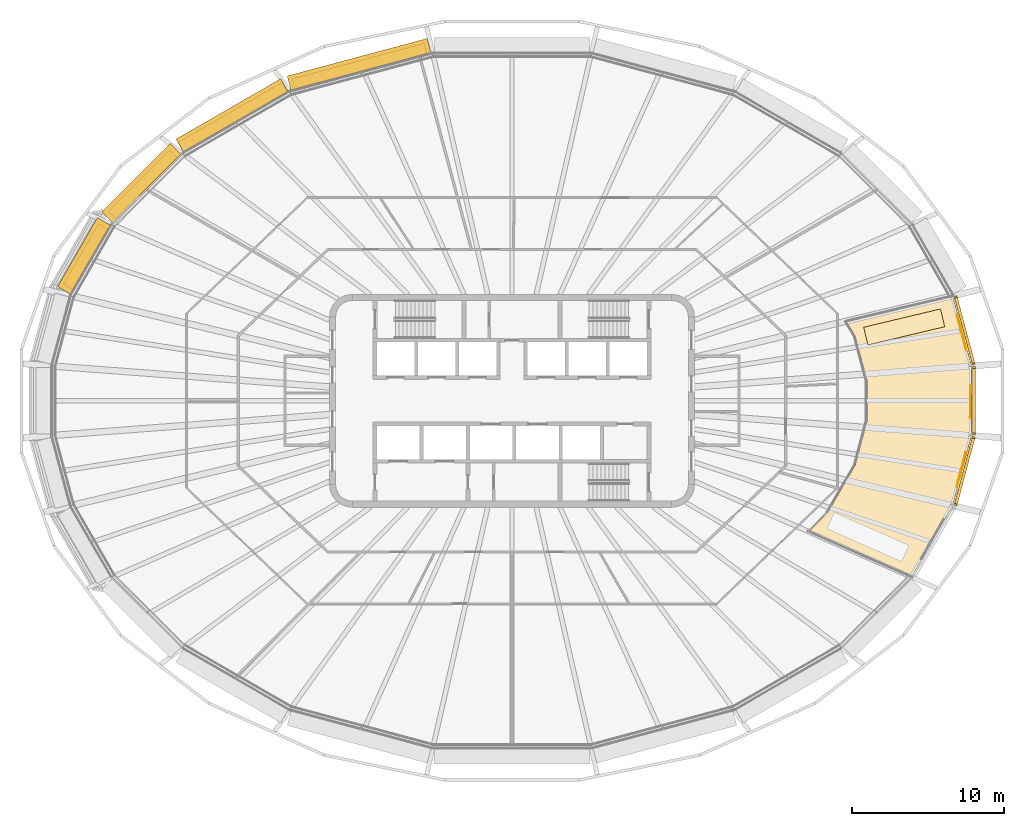
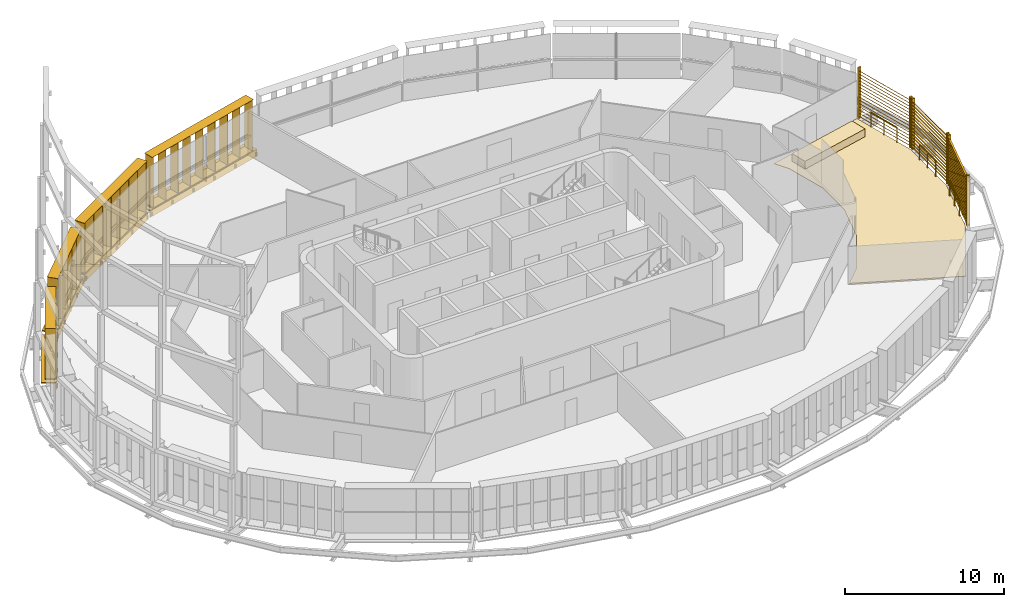
# One storey, part 20 of 21: 11 shading devices, 3 railings, 2 coverings.
"""IFC4 building model written with IfcOpenShell, lengths in metres."""

from ifc_helpers import new_model, si_unit, direction, frame, origin, origin_2d, place, context, subcontext, project, spatial, polyline, rectangle, circle, outline, extrude, material, layer, layer_set, type_object, element, save


model = new_model("IFC4")

# Units and contexts
model_context = context("Model", 3, precision=1e-05, world=origin(), true_north=direction((0.0, 1.0)))
body_context = subcontext(model_context, "Body", "Model", "MODEL_VIEW")
ifc_project = project(units=[si_unit("LENGTHUNIT", "METRE"), si_unit("AREAUNIT", "SQUARE_METRE"), si_unit("VOLUMEUNIT", "CUBIC_METRE"), si_unit("PLANEANGLEUNIT", "RADIAN"), si_unit("MASSUNIT", "GRAM", prefix="KILO")], contexts=[model_context])

# Site, building, storey
site_placement = place(None, origin())
site = spatial("IfcSite", under=ifc_project, at=site_placement, CompositionType="ELEMENT")
building_placement = place(site_placement, origin())
building = spatial("IfcBuilding", under=site, at=building_placement, Name="Sahrelin Media Tower", CompositionType="ELEMENT")
storey_placement = place(building_placement, frame((0.0, 0.0, 259.0)))
storey = spatial("IfcBuildingStorey", under=building, at=storey_placement, Name="L56", CompositionType="ELEMENT", Elevation=259.0)

# Shading devices
ifc_material_1 = material(Name="Champagne anodised aluminium 6063-T6", Category="aluminium")
shading_device_type_1 = type_object("IfcShadingDeviceType", Name="Fin cassette", PredefinedType="USERDEFINED", material=ifc_material_1)
placement_1 = place(storey_placement, frame((-9.912109375, 21.598388671875, 0.0), z_axis=(0.0, 0.0, 1.0), x_axis=(0.965928857556, 0.258807731996, 0.0)))
element("IfcShadingDevice", 1, at=placement_1, inside=storey, type_object=shading_device_type_1, Name="L56:FIN:L56-07", ObjectType="FIN", PredefinedType="USERDEFINED", context=body_context, shape_type="SweptSolid", body=[
    extrude(rectangle(XDim=9.0, YDim=0.699951171875, at=origin_2d()), frame((0.0, 0.419921875, 0.0)), (0.0, 0.0, 1.0), 0.02001953125),
    extrude(rectangle(XDim=9.0, YDim=0.699951171875, at=origin_2d()), frame((0.0, 0.419921875, 3.89990234375)), (0.0, 0.0, 1.0), 0.02001953125),
    extrude(rectangle(XDim=0.02001953125, YDim=0.699951171875, at=origin_2d()), frame((-4.39990234375, 0.419921875, 0.010009765625), z_axis=(0.0, 0.0, 1.0), x_axis=(1.0, 0.0, 0.0)), (0.0, 0.0, 1.0), 3.89990234375),
    extrude(rectangle(XDim=0.02001953125, YDim=0.699951171875, at=origin_2d()), frame((-3.300048828125, 0.419921875, 0.010009765625), z_axis=(0.0, 0.0, 1.0), x_axis=(1.0, 0.0, 0.0)), (0.0, 0.0, 1.0), 3.89990234375),
    extrude(rectangle(XDim=0.02001953125, YDim=0.699951171875, at=origin_2d()), frame((-2.199951171875, 0.419921875, 0.010009765625), z_axis=(0.0, 0.0, 1.0), x_axis=(1.0, 0.0, 0.0)), (0.0, 0.0, 1.0), 3.89990234375),
    extrude(rectangle(XDim=0.02001953125, YDim=0.699951171875, at=origin_2d()), frame((-1.10009765625, 0.419921875, 0.010009765625), z_axis=(0.0, 0.0, 1.0), x_axis=(1.0, 0.0, 0.0)), (0.0, 0.0, 1.0), 3.89990234375),
    extrude(rectangle(XDim=0.02001953125, YDim=0.699951171875, at=origin_2d()), frame((0.0, 0.419921875, 0.010009765625), z_axis=(0.0, 0.0, 1.0), x_axis=(1.0, 0.0, 0.0)), (0.0, 0.0, 1.0), 3.89990234375),
    extrude(rectangle(XDim=0.02001953125, YDim=0.699951171875, at=origin_2d()), frame((1.10009765625, 0.419921875, 0.010009765625), z_axis=(0.0, 0.0, 1.0), x_axis=(1.0, 0.0, 0.0)), (0.0, 0.0, 1.0), 3.89990234375),
    extrude(rectangle(XDim=0.02001953125, YDim=0.699951171875, at=origin_2d()), frame((2.199951171875, 0.419921875, 0.010009765625), z_axis=(0.0, 0.0, 1.0), x_axis=(1.0, 0.0, 0.0)), (0.0, 0.0, 1.0), 3.89990234375),
    extrude(rectangle(XDim=0.02001953125, YDim=0.699951171875, at=origin_2d()), frame((3.300048828125, 0.419921875, 0.010009765625), z_axis=(0.0, 0.0, 1.0), x_axis=(1.0, 0.0, 0.0)), (0.0, 0.0, 1.0), 3.89990234375),
    extrude(rectangle(XDim=0.02001953125, YDim=0.699951171875, at=origin_2d()), frame((4.39990234375, 0.419921875, 0.010009765625), z_axis=(0.0, 0.0, 1.0), x_axis=(1.0, 0.0, 0.0)), (0.0, 0.0, 1.0), 3.89990234375),
])
placement_2 = place(storey_placement, frame((-18.14208984375, 18.300537109375, 0.0), z_axis=(0.0, 0.0, 1.0), x_axis=(0.866019052629, 0.500011000363, 0.0)))
element("IfcShadingDevice", 2, at=placement_2, inside=storey, type_object=shading_device_type_1, Name="L56:FIN:L56-08", ObjectType="FIN", PredefinedType="USERDEFINED", context=body_context, shape_type="SweptSolid", body=[
    extrude(rectangle(XDim=7.89990234375, YDim=0.699951171875, at=origin_2d()), frame((0.0, 0.419921875, 0.0)), (0.0, 0.0, 1.0), 0.02001953125),
    extrude(rectangle(XDim=7.89990234375, YDim=0.699951171875, at=origin_2d()), frame((0.0, 0.419921875, 3.89990234375)), (0.0, 0.0, 1.0), 0.02001953125),
    extrude(rectangle(XDim=0.02001953125, YDim=0.699951171875, at=origin_2d()), frame((-3.85009765625, 0.419921875, 0.010009765625), z_axis=(0.0, 0.0, 1.0), x_axis=(1.0, 0.0, 0.0)), (0.0, 0.0, 1.0), 3.89990234375),
    extrude(rectangle(XDim=0.02001953125, YDim=0.699951171875, at=origin_2d()), frame((-2.75, 0.419921875, 0.010009765625), z_axis=(0.0, 0.0, 1.0), x_axis=(1.0, 0.0, 0.0)), (0.0, 0.0, 1.0), 3.89990234375),
    extrude(rectangle(XDim=0.02001953125, YDim=0.699951171875, at=origin_2d()), frame((-1.64990234375, 0.419921875, 0.010009765625), z_axis=(0.0, 0.0, 1.0), x_axis=(1.0, 0.0, 0.0)), (0.0, 0.0, 1.0), 3.89990234375),
    extrude(rectangle(XDim=0.02001953125, YDim=0.699951171875, at=origin_2d()), frame((-0.550048828125, 0.419921875, 0.010009765625), z_axis=(0.0, 0.0, 1.0), x_axis=(1.0, 0.0, 0.0)), (0.0, 0.0, 1.0), 3.89990234375),
    extrude(rectangle(XDim=0.02001953125, YDim=0.699951171875, at=origin_2d()), frame((0.550048828125, 0.419921875, 0.010009765625), z_axis=(0.0, 0.0, 1.0), x_axis=(1.0, 0.0, 0.0)), (0.0, 0.0, 1.0), 3.89990234375),
    extrude(rectangle(XDim=0.02001953125, YDim=0.699951171875, at=origin_2d()), frame((1.64990234375, 0.419921875, 0.010009765625), z_axis=(0.0, 0.0, 1.0), x_axis=(1.0, 0.0, 0.0)), (0.0, 0.0, 1.0), 3.89990234375),
    extrude(rectangle(XDim=0.02001953125, YDim=0.699951171875, at=origin_2d()), frame((2.75, 0.419921875, 0.010009765625), z_axis=(0.0, 0.0, 1.0), x_axis=(1.0, 0.0, 0.0)), (0.0, 0.0, 1.0), 3.89990234375),
    extrude(rectangle(XDim=0.02001953125, YDim=0.699951171875, at=origin_2d()), frame((3.85009765625, 0.419921875, 0.010009765625), z_axis=(0.0, 0.0, 1.0), x_axis=(1.0, 0.0, 0.0)), (0.0, 0.0, 1.0), 3.89990234375),
])
placement_3 = place(storey_placement, frame((-23.997314453125, 13.9375, 0.0), z_axis=(0.0, 0.0, 1.0), x_axis=(0.707106781187, 0.707106781187, 0.0)))
element("IfcShadingDevice", 3, at=placement_3, inside=storey, type_object=shading_device_type_1, Name="L56:FIN:L56-09", ObjectType="FIN", PredefinedType="USERDEFINED", context=body_context, shape_type="SweptSolid", body=[
    extrude(rectangle(XDim=5.699951171875, YDim=0.699951171875, at=origin_2d()), frame((0.0, 0.419921875, 0.0)), (0.0, 0.0, 1.0), 0.02001953125),
    extrude(rectangle(XDim=5.699951171875, YDim=0.699951171875, at=origin_2d()), frame((0.0, 0.419921875, 3.89990234375)), (0.0, 0.0, 1.0), 0.02001953125),
    extrude(rectangle(XDim=0.02001953125, YDim=0.699951171875, at=origin_2d()), frame((-2.75, 0.419921875, 0.010009765625), z_axis=(0.0, 0.0, 1.0), x_axis=(1.0, 0.0, 0.0)), (0.0, 0.0, 1.0), 3.89990234375),
    extrude(rectangle(XDim=0.02001953125, YDim=0.699951171875, at=origin_2d()), frame((-1.64990234375, 0.419921875, 0.010009765625), z_axis=(0.0, 0.0, 1.0), x_axis=(1.0, 0.0, 0.0)), (0.0, 0.0, 1.0), 3.89990234375),
    extrude(rectangle(XDim=0.02001953125, YDim=0.699951171875, at=origin_2d()), frame((-0.550048828125, 0.419921875, 0.010009765625), z_axis=(0.0, 0.0, 1.0), x_axis=(1.0, 0.0, 0.0)), (0.0, 0.0, 1.0), 3.89990234375),
    extrude(rectangle(XDim=0.02001953125, YDim=0.699951171875, at=origin_2d()), frame((0.550048828125, 0.419921875, 0.010009765625), z_axis=(0.0, 0.0, 1.0), x_axis=(1.0, 0.0, 0.0)), (0.0, 0.0, 1.0), 3.89990234375),
    extrude(rectangle(XDim=0.02001953125, YDim=0.699951171875, at=origin_2d()), frame((1.64990234375, 0.419921875, 0.010009765625), z_axis=(0.0, 0.0, 1.0), x_axis=(1.0, 0.0, 0.0)), (0.0, 0.0, 1.0), 3.89990234375),
    extrude(rectangle(XDim=0.02001953125, YDim=0.699951171875, at=origin_2d()), frame((2.75, 0.419921875, 0.010009765625), z_axis=(0.0, 0.0, 1.0), x_axis=(1.0, 0.0, 0.0)), (0.0, 0.0, 1.0), 3.89990234375),
])
placement_4 = place(storey_placement, frame((-27.6796875, 9.261474609375, 0.0), z_axis=(0.0, 0.0, 1.0), x_axis=(0.500011000363, 0.866019052629, 0.0)))
element("IfcShadingDevice", 4, at=placement_4, inside=storey, type_object=shading_device_type_1, Name="L56:FIN:L56-10", ObjectType="FIN", PredefinedType="USERDEFINED", context=body_context, shape_type="SweptSolid", body=[
    extrude(rectangle(XDim=4.60009765625, YDim=0.699951171875, at=origin_2d()), frame((0.0, 0.419921875, 0.0)), (0.0, 0.0, 1.0), 0.02001953125),
    extrude(rectangle(XDim=4.60009765625, YDim=0.699951171875, at=origin_2d()), frame((0.0, 0.419921875, 3.89990234375)), (0.0, 0.0, 1.0), 0.02001953125),
    extrude(rectangle(XDim=0.02001953125, YDim=0.699951171875, at=origin_2d()), frame((-2.199951171875, 0.419921875, 0.010009765625), z_axis=(0.0, 0.0, 1.0), x_axis=(1.0, 0.0, 0.0)), (0.0, 0.0, 1.0), 3.89990234375),
    extrude(rectangle(XDim=0.02001953125, YDim=0.699951171875, at=origin_2d()), frame((-1.10009765625, 0.419921875, 0.010009765625), z_axis=(0.0, 0.0, 1.0), x_axis=(1.0, 0.0, 0.0)), (0.0, 0.0, 1.0), 3.89990234375),
    extrude(rectangle(XDim=0.02001953125, YDim=0.699951171875, at=origin_2d()), frame((0.0, 0.419921875, 0.010009765625), z_axis=(0.0, 0.0, 1.0), x_axis=(1.0, 0.0, 0.0)), (0.0, 0.0, 1.0), 3.89990234375),
    extrude(rectangle(XDim=0.02001953125, YDim=0.699951171875, at=origin_2d()), frame((1.10009765625, 0.419921875, 0.010009765625), z_axis=(0.0, 0.0, 1.0), x_axis=(1.0, 0.0, 0.0)), (0.0, 0.0, 1.0), 3.89990234375),
    extrude(rectangle(XDim=0.02001953125, YDim=0.699951171875, at=origin_2d()), frame((2.199951171875, 0.419921875, 0.010009765625), z_axis=(0.0, 0.0, 1.0), x_axis=(1.0, 0.0, 0.0)), (0.0, 0.0, 1.0), 3.89990234375),
])

# Covering
ifc_material_2 = material(Name="Stone paving", Category="masonry")
ifc_layer = layer(ifc_material_2, 0.0400390625)
ifc_layer_set = layer_set([ifc_layer], Name="Garden paving")
covering_type_1 = type_object("IfcCoveringType", Name="Garden paving", PredefinedType="FLOORING", material=ifc_layer_set)
covering_1_placement = place(storey_placement, origin())
element("IfcCovering", 5, at=covering_1_placement, inside=storey, type_object=covering_type_1, Name="Garden paving G7", PredefinedType="FLOORING", context=body_context, shape_type="SweptSolid", body=[
    extrude(outline(polyline([(30.2255859375, -2.2822265625), (28.99072265625, -6.890380859375), (26.30078125, -11.54931640625), (19.539794921875, -8.56640625), (20.76025390625, -7.345947265625), (22.56103515625, -4.22705078125), (23.325439453125, -1.373779296875), (23.325439453125, 1.373779296875), (22.56103515625, 4.22705078125), (22.0078125, 5.185546875), (29.001708984375, 6.849853515625), (30.2255859375, 2.2822265625), (30.2255859375, -2.2822265625)])), origin(), (0.0, 0.0, 1.0), 0.0400390625),
])

# Shading devices
shading_device_type_2 = type_object("IfcShadingDeviceType", Name="Garden screen", PredefinedType="USERDEFINED", material=ifc_material_1)
shading_device_5_placement = place(storey_placement, frame((30.275390625, 0.0, 0.0), z_axis=(0.0, 0.0, 1.0), x_axis=(0.0, -1.0, 0.0)))
element("IfcShadingDevice", 6, at=shading_device_5_placement, inside=storey, type_object=shading_device_type_2, Name="L56:SCREEN:L56-00", ObjectType="SCREEN", PredefinedType="USERDEFINED", context=body_context, shape_type="SweptSolid", body=[
    extrude(rectangle(XDim=0.1201171875, YDim=0.199951171875, at=origin_2d()), frame((2.1787109375, 0.10009765625, 0.050048828125), z_axis=(0.0, 0.0, 1.0), x_axis=(1.0, 0.0, 0.0)), (0.0, 0.0, 1.0), 3.89990234375),
    extrude(rectangle(XDim=0.1201171875, YDim=0.199951171875, at=origin_2d()), frame((-2.1787109375, 0.10009765625, 0.050048828125), z_axis=(0.0, 0.0, 1.0), x_axis=(1.0, 0.0, 0.0)), (0.0, 0.0, 1.0), 3.89990234375),
    extrude(rectangle(XDim=0.25, YDim=0.02001953125, at=origin_2d()), frame((2.118896484375, 0.10009765625, 0.14990234375), z_axis=(-1.0, 0.0, 0.0), x_axis=(0.0, -0.766044443119, 0.642787609687)), (0.0, 0.0, 1.0), 4.23779296875),
    extrude(rectangle(XDim=0.25, YDim=0.02001953125, at=origin_2d()), frame((2.118896484375, 0.10009765625, 0.39990234375), z_axis=(-1.0, 0.0, 0.0), x_axis=(0.0, -0.766044443119, 0.642787609687)), (0.0, 0.0, 1.0), 4.23779296875),
    extrude(rectangle(XDim=0.25, YDim=0.02001953125, at=origin_2d()), frame((2.118896484375, 0.10009765625, 0.64990234375), z_axis=(-1.0, 0.0, 0.0), x_axis=(0.0, -0.766044443119, 0.642787609687)), (0.0, 0.0, 1.0), 4.23779296875),
    extrude(rectangle(XDim=0.25, YDim=0.02001953125, at=origin_2d()), frame((2.118896484375, 0.10009765625, 0.89990234375), z_axis=(-1.0, 0.0, 0.0), x_axis=(0.0, -0.766044443119, 0.642787609687)), (0.0, 0.0, 1.0), 4.23779296875),
    extrude(rectangle(XDim=0.25, YDim=0.02001953125, at=origin_2d()), frame((2.118896484375, 0.10009765625, 1.14990234375), z_axis=(-1.0, 0.0, 0.0), x_axis=(0.0, -0.766044443119, 0.642787609687)), (0.0, 0.0, 1.0), 4.23779296875),
    extrude(rectangle(XDim=0.25, YDim=0.02001953125, at=origin_2d()), frame((2.118896484375, 0.10009765625, 1.39990234375), z_axis=(-1.0, 0.0, 0.0), x_axis=(0.0, -0.766044443119, 0.642787609687)), (0.0, 0.0, 1.0), 4.23779296875),
    extrude(rectangle(XDim=0.25, YDim=0.02001953125, at=origin_2d()), frame((2.118896484375, 0.10009765625, 1.64990234375), z_axis=(-1.0, 0.0, 0.0), x_axis=(0.0, -0.766044443119, 0.642787609687)), (0.0, 0.0, 1.0), 4.23779296875),
    extrude(rectangle(XDim=0.25, YDim=0.02001953125, at=origin_2d()), frame((2.118896484375, 0.10009765625, 1.89990234375), z_axis=(-1.0, 0.0, 0.0), x_axis=(0.0, -0.766044443119, 0.642787609687)), (0.0, 0.0, 1.0), 4.23779296875),
    extrude(rectangle(XDim=0.25, YDim=0.02001953125, at=origin_2d()), frame((2.118896484375, 0.10009765625, 2.14990234375), z_axis=(-1.0, 0.0, 0.0), x_axis=(0.0, -0.766044443119, 0.642787609687)), (0.0, 0.0, 1.0), 4.23779296875),
    extrude(rectangle(XDim=0.25, YDim=0.02001953125, at=origin_2d()), frame((2.118896484375, 0.10009765625, 2.39990234375), z_axis=(-1.0, 0.0, 0.0), x_axis=(0.0, -0.766044443119, 0.642787609687)), (0.0, 0.0, 1.0), 4.23779296875),
    extrude(rectangle(XDim=0.25, YDim=0.02001953125, at=origin_2d()), frame((2.118896484375, 0.10009765625, 2.64990234375), z_axis=(-1.0, 0.0, 0.0), x_axis=(0.0, -0.766044443119, 0.642787609687)), (0.0, 0.0, 1.0), 4.23779296875),
    extrude(rectangle(XDim=0.25, YDim=0.02001953125, at=origin_2d()), frame((2.118896484375, 0.10009765625, 2.89990234375), z_axis=(-1.0, 0.0, 0.0), x_axis=(0.0, -0.766044443119, 0.642787609687)), (0.0, 0.0, 1.0), 4.23779296875),
    extrude(rectangle(XDim=0.25, YDim=0.02001953125, at=origin_2d()), frame((2.118896484375, 0.10009765625, 3.14990234375), z_axis=(-1.0, 0.0, 0.0), x_axis=(0.0, -0.766044443119, 0.642787609687)), (0.0, 0.0, 1.0), 4.23779296875),
    extrude(rectangle(XDim=0.25, YDim=0.02001953125, at=origin_2d()), frame((2.118896484375, 0.10009765625, 3.39990234375), z_axis=(-1.0, 0.0, 0.0), x_axis=(0.0, -0.766044443119, 0.642787609687)), (0.0, 0.0, 1.0), 4.23779296875),
    extrude(rectangle(XDim=0.25, YDim=0.02001953125, at=origin_2d()), frame((2.118896484375, 0.10009765625, 3.64990234375), z_axis=(-1.0, 0.0, 0.0), x_axis=(0.0, -0.766044443119, 0.642787609687)), (0.0, 0.0, 1.0), 4.23779296875),
])
shading_device_6_placement = place(storey_placement, frame((29.656494140625, 4.599365234375, 0.0), z_axis=(0.0, 0.0, 1.0), x_axis=(0.258807731996, -0.965928857556, 0.0)))
element("IfcShadingDevice", 7, at=shading_device_6_placement, inside=storey, type_object=shading_device_type_2, Name="L56:SCREEN:L56-01", ObjectType="SCREEN", PredefinedType="USERDEFINED", context=body_context, shape_type="SweptSolid", body=[
    extrude(rectangle(XDim=0.1201171875, YDim=0.199951171875, at=origin_2d()), frame((2.281982421875, 0.10009765625, 0.050048828125), z_axis=(0.0, 0.0, 1.0), x_axis=(1.0, 0.0, 0.0)), (0.0, 0.0, 1.0), 3.89990234375),
    extrude(rectangle(XDim=0.1201171875, YDim=0.199951171875, at=origin_2d()), frame((-2.281982421875, 0.10009765625, 0.050048828125), z_axis=(0.0, 0.0, 1.0), x_axis=(1.0, 0.0, 0.0)), (0.0, 0.0, 1.0), 3.89990234375),
    extrude(rectangle(XDim=0.25, YDim=0.02001953125, at=origin_2d()), frame((2.221923828125, 0.10009765625, 0.14990234375), z_axis=(-1.0, 0.0, 0.0), x_axis=(0.0, -0.766044443119, 0.642787609687)), (0.0, 0.0, 1.0), 4.44384765625),
    extrude(rectangle(XDim=0.25, YDim=0.02001953125, at=origin_2d()), frame((2.221923828125, 0.10009765625, 0.39990234375), z_axis=(-1.0, 0.0, 0.0), x_axis=(0.0, -0.766044443119, 0.642787609687)), (0.0, 0.0, 1.0), 4.44384765625),
    extrude(rectangle(XDim=0.25, YDim=0.02001953125, at=origin_2d()), frame((2.221923828125, 0.10009765625, 0.64990234375), z_axis=(-1.0, 0.0, 0.0), x_axis=(0.0, -0.766044443119, 0.642787609687)), (0.0, 0.0, 1.0), 4.44384765625),
    extrude(rectangle(XDim=0.25, YDim=0.02001953125, at=origin_2d()), frame((2.221923828125, 0.10009765625, 0.89990234375), z_axis=(-1.0, 0.0, 0.0), x_axis=(0.0, -0.766044443119, 0.642787609687)), (0.0, 0.0, 1.0), 4.44384765625),
    extrude(rectangle(XDim=0.25, YDim=0.02001953125, at=origin_2d()), frame((2.221923828125, 0.10009765625, 1.14990234375), z_axis=(-1.0, 0.0, 0.0), x_axis=(0.0, -0.766044443119, 0.642787609687)), (0.0, 0.0, 1.0), 4.44384765625),
    extrude(rectangle(XDim=0.25, YDim=0.02001953125, at=origin_2d()), frame((2.221923828125, 0.10009765625, 1.39990234375), z_axis=(-1.0, 0.0, 0.0), x_axis=(0.0, -0.766044443119, 0.642787609687)), (0.0, 0.0, 1.0), 4.44384765625),
    extrude(rectangle(XDim=0.25, YDim=0.02001953125, at=origin_2d()), frame((2.221923828125, 0.10009765625, 1.64990234375), z_axis=(-1.0, 0.0, 0.0), x_axis=(0.0, -0.766044443119, 0.642787609687)), (0.0, 0.0, 1.0), 4.44384765625),
    extrude(rectangle(XDim=0.25, YDim=0.02001953125, at=origin_2d()), frame((2.221923828125, 0.10009765625, 1.89990234375), z_axis=(-1.0, 0.0, 0.0), x_axis=(0.0, -0.766044443119, 0.642787609687)), (0.0, 0.0, 1.0), 4.44384765625),
    extrude(rectangle(XDim=0.25, YDim=0.02001953125, at=origin_2d()), frame((2.221923828125, 0.10009765625, 2.14990234375), z_axis=(-1.0, 0.0, 0.0), x_axis=(0.0, -0.766044443119, 0.642787609687)), (0.0, 0.0, 1.0), 4.44384765625),
    extrude(rectangle(XDim=0.25, YDim=0.02001953125, at=origin_2d()), frame((2.221923828125, 0.10009765625, 2.39990234375), z_axis=(-1.0, 0.0, 0.0), x_axis=(0.0, -0.766044443119, 0.642787609687)), (0.0, 0.0, 1.0), 4.44384765625),
    extrude(rectangle(XDim=0.25, YDim=0.02001953125, at=origin_2d()), frame((2.221923828125, 0.10009765625, 2.64990234375), z_axis=(-1.0, 0.0, 0.0), x_axis=(0.0, -0.766044443119, 0.642787609687)), (0.0, 0.0, 1.0), 4.44384765625),
    extrude(rectangle(XDim=0.25, YDim=0.02001953125, at=origin_2d()), frame((2.221923828125, 0.10009765625, 2.89990234375), z_axis=(-1.0, 0.0, 0.0), x_axis=(0.0, -0.766044443119, 0.642787609687)), (0.0, 0.0, 1.0), 4.44384765625),
    extrude(rectangle(XDim=0.25, YDim=0.02001953125, at=origin_2d()), frame((2.221923828125, 0.10009765625, 3.14990234375), z_axis=(-1.0, 0.0, 0.0), x_axis=(0.0, -0.766044443119, 0.642787609687)), (0.0, 0.0, 1.0), 4.44384765625),
    extrude(rectangle(XDim=0.25, YDim=0.02001953125, at=origin_2d()), frame((2.221923828125, 0.10009765625, 3.39990234375), z_axis=(-1.0, 0.0, 0.0), x_axis=(0.0, -0.766044443119, 0.642787609687)), (0.0, 0.0, 1.0), 4.44384765625),
    extrude(rectangle(XDim=0.25, YDim=0.02001953125, at=origin_2d()), frame((2.221923828125, 0.10009765625, 3.64990234375), z_axis=(-1.0, 0.0, 0.0), x_axis=(0.0, -0.766044443119, 0.642787609687)), (0.0, 0.0, 1.0), 4.44384765625),
])
shading_device_7_placement = place(storey_placement, frame((29.656494140625, -4.59912109375, 0.0), z_axis=(0.0, 0.0, 1.0), x_axis=(-0.258807731996, -0.965928857556, 0.0)))
element("IfcShadingDevice", 8, at=shading_device_7_placement, inside=storey, type_object=shading_device_type_2, Name="L56:SCREEN:L56-23", ObjectType="SCREEN", PredefinedType="USERDEFINED", context=body_context, shape_type="SweptSolid", body=[
    extrude(rectangle(XDim=0.1201171875, YDim=0.199951171875, at=origin_2d()), frame((2.281982421875, 0.10009765625, 0.050048828125), z_axis=(0.0, 0.0, 1.0), x_axis=(1.0, 0.0, 0.0)), (0.0, 0.0, 1.0), 3.89990234375),
    extrude(rectangle(XDim=0.1201171875, YDim=0.199951171875, at=origin_2d()), frame((-2.281982421875, 0.10009765625, 0.050048828125), z_axis=(0.0, 0.0, 1.0), x_axis=(1.0, 0.0, 0.0)), (0.0, 0.0, 1.0), 3.89990234375),
    extrude(rectangle(XDim=0.25, YDim=0.02001953125, at=origin_2d()), frame((2.221923828125, 0.10009765625, 0.14990234375), z_axis=(-1.0, 0.0, 0.0), x_axis=(0.0, -0.766044443119, 0.642787609687)), (0.0, 0.0, 1.0), 4.44384765625),
    extrude(rectangle(XDim=0.25, YDim=0.02001953125, at=origin_2d()), frame((2.221923828125, 0.10009765625, 0.39990234375), z_axis=(-1.0, 0.0, 0.0), x_axis=(0.0, -0.766044443119, 0.642787609687)), (0.0, 0.0, 1.0), 4.44384765625),
    extrude(rectangle(XDim=0.25, YDim=0.02001953125, at=origin_2d()), frame((2.221923828125, 0.10009765625, 0.64990234375), z_axis=(-1.0, 0.0, 0.0), x_axis=(0.0, -0.766044443119, 0.642787609687)), (0.0, 0.0, 1.0), 4.44384765625),
    extrude(rectangle(XDim=0.25, YDim=0.02001953125, at=origin_2d()), frame((2.221923828125, 0.10009765625, 0.89990234375), z_axis=(-1.0, 0.0, 0.0), x_axis=(0.0, -0.766044443119, 0.642787609687)), (0.0, 0.0, 1.0), 4.44384765625),
    extrude(rectangle(XDim=0.25, YDim=0.02001953125, at=origin_2d()), frame((2.221923828125, 0.10009765625, 1.14990234375), z_axis=(-1.0, 0.0, 0.0), x_axis=(0.0, -0.766044443119, 0.642787609687)), (0.0, 0.0, 1.0), 4.44384765625),
    extrude(rectangle(XDim=0.25, YDim=0.02001953125, at=origin_2d()), frame((2.221923828125, 0.10009765625, 1.39990234375), z_axis=(-1.0, 0.0, 0.0), x_axis=(0.0, -0.766044443119, 0.642787609687)), (0.0, 0.0, 1.0), 4.44384765625),
    extrude(rectangle(XDim=0.25, YDim=0.02001953125, at=origin_2d()), frame((2.221923828125, 0.10009765625, 1.64990234375), z_axis=(-1.0, 0.0, 0.0), x_axis=(0.0, -0.766044443119, 0.642787609687)), (0.0, 0.0, 1.0), 4.44384765625),
    extrude(rectangle(XDim=0.25, YDim=0.02001953125, at=origin_2d()), frame((2.221923828125, 0.10009765625, 1.89990234375), z_axis=(-1.0, 0.0, 0.0), x_axis=(0.0, -0.766044443119, 0.642787609687)), (0.0, 0.0, 1.0), 4.44384765625),
    extrude(rectangle(XDim=0.25, YDim=0.02001953125, at=origin_2d()), frame((2.221923828125, 0.10009765625, 2.14990234375), z_axis=(-1.0, 0.0, 0.0), x_axis=(0.0, -0.766044443119, 0.642787609687)), (0.0, 0.0, 1.0), 4.44384765625),
    extrude(rectangle(XDim=0.25, YDim=0.02001953125, at=origin_2d()), frame((2.221923828125, 0.10009765625, 2.39990234375), z_axis=(-1.0, 0.0, 0.0), x_axis=(0.0, -0.766044443119, 0.642787609687)), (0.0, 0.0, 1.0), 4.44384765625),
    extrude(rectangle(XDim=0.25, YDim=0.02001953125, at=origin_2d()), frame((2.221923828125, 0.10009765625, 2.64990234375), z_axis=(-1.0, 0.0, 0.0), x_axis=(0.0, -0.766044443119, 0.642787609687)), (0.0, 0.0, 1.0), 4.44384765625),
    extrude(rectangle(XDim=0.25, YDim=0.02001953125, at=origin_2d()), frame((2.221923828125, 0.10009765625, 2.89990234375), z_axis=(-1.0, 0.0, 0.0), x_axis=(0.0, -0.766044443119, 0.642787609687)), (0.0, 0.0, 1.0), 4.44384765625),
    extrude(rectangle(XDim=0.25, YDim=0.02001953125, at=origin_2d()), frame((2.221923828125, 0.10009765625, 3.14990234375), z_axis=(-1.0, 0.0, 0.0), x_axis=(0.0, -0.766044443119, 0.642787609687)), (0.0, 0.0, 1.0), 4.44384765625),
    extrude(rectangle(XDim=0.25, YDim=0.02001953125, at=origin_2d()), frame((2.221923828125, 0.10009765625, 3.39990234375), z_axis=(-1.0, 0.0, 0.0), x_axis=(0.0, -0.766044443119, 0.642787609687)), (0.0, 0.0, 1.0), 4.44384765625),
    extrude(rectangle(XDim=0.25, YDim=0.02001953125, at=origin_2d()), frame((2.221923828125, 0.10009765625, 3.64990234375), z_axis=(-1.0, 0.0, 0.0), x_axis=(0.0, -0.766044443119, 0.642787609687)), (0.0, 0.0, 1.0), 4.44384765625),
])

# Railings
ifc_material_3 = material(Name="Stainless steel 316", Category="steel")
railing_type = type_object("IfcRailingType", Name="Sky garden guard", PredefinedType="GUARDRAIL", material=ifc_material_3)
railing_1_placement = place(storey_placement, frame((29.246337890625, -5.629638671875, 0.0)))
element("IfcRailing", 9, at=railing_1_placement, inside=storey, type_object=railing_type, Name="Sky garden guard G7-2", PredefinedType="GUARDRAIL", context=body_context, shape_type="SweptSolid", body=[
    extrude(circle(Radius=0.02392578125, at=origin_2d()), frame((0.0, 0.0, 1.17578125), z_axis=(0.250104483313, 0.968218853063, 0.0), x_axis=(-0.968218853063, 0.250104483313, 0.0)), (0.0, 0.0, 1.0), 2.2822265625),
    extrude(circle(Radius=0.02099609375, at=origin_2d()), origin(), (0.0, 0.0, 1.0), 1.15185546875),
    extrude(circle(Radius=0.02099609375, at=origin_2d()), frame((0.285400390625, 1.10498046875, 0.0)), (0.0, 0.0, 1.0), 1.15185546875),
    extrude(circle(Radius=0.02099609375, at=origin_2d()), frame((0.57080078125, 2.209716796875, 0.0)), (0.0, 0.0, 1.0), 1.15185546875),
])
railing_2_placement = place(storey_placement, frame((30.130859375, -1.108642578125, 0.0)))
element("IfcRailing", 10, at=railing_2_placement, inside=storey, type_object=railing_type, Name="Sky garden guard G7-3", PredefinedType="GUARDRAIL", context=body_context, shape_type="SweptSolid", body=[
    extrude(circle(Radius=0.02392578125, at=origin_2d()), frame((0.0, 0.0, 1.17578125), z_axis=(0.012286960071, 0.999924512457, 0.0), x_axis=(-0.999924512457, 0.012286960071, 0.0)), (0.0, 0.0, 1.0), 2.08642578125),
    extrude(circle(Radius=0.02099609375, at=origin_2d()), origin(), (0.0, 0.0, 1.0), 1.15185546875),
    extrude(circle(Radius=0.02099609375, at=origin_2d()), frame((0.0126953125, 1.04296875, 0.0)), (0.0, 0.0, 1.0), 1.15185546875),
    extrude(circle(Radius=0.02099609375, at=origin_2d()), frame((0.025634765625, 2.086181640625, 0.0)), (0.0, 0.0, 1.0), 1.15185546875),
])
railing_3_placement = place(storey_placement, frame((29.874755859375, 3.339599609375, 0.0)))
element("IfcRailing", 11, at=railing_3_placement, inside=storey, type_object=railing_type, Name="Sky garden guard G7-4", PredefinedType="GUARDRAIL", context=body_context, shape_type="SweptSolid", body=[
    extrude(circle(Radius=0.02392578125, at=origin_2d()), frame((0.0, 0.0, 1.17578125), z_axis=(-0.249523465738, 0.968368752101, 0.0), x_axis=(-0.968368752101, -0.249523465738, 0.0)), (0.0, 0.0, 1.0), 2.33251953125),
    extrude(circle(Radius=0.02099609375, at=origin_2d()), origin(), (0.0, 0.0, 1.0), 1.15185546875),
    extrude(circle(Radius=0.02099609375, at=origin_2d()), frame((-0.291015625, 1.12939453125, 0.0)), (0.0, 0.0, 1.0), 1.15185546875),
    extrude(circle(Radius=0.02099609375, at=origin_2d()), frame((-0.58203125, 2.2587890625, 0.0)), (0.0, 0.0, 1.0), 1.15185546875),
])

# Covering
ifc_material_4 = material(Name="Planting and soil")
covering_type_2 = type_object("IfcCoveringType", Name="Sky garden planter", PredefinedType="USERDEFINED", material=ifc_material_4)
covering_2_placement = place(storey_placement, frame((25.782470703125, 4.85009765625, 0.0400390625), z_axis=(0.0, 0.0, 1.0), x_axis=(0.972835708262, 0.231496619264, 0.0)))
element("IfcCovering", 12, at=covering_2_placement, inside=storey, type_object=covering_type_2, Name="Sky garden planter G7-2", ObjectType="PLANTER", PredefinedType="USERDEFINED", context=body_context, shape_type="SweptSolid", body=[
    extrude(rectangle(XDim=5.189208984375, YDim=1.199951171875, at=origin_2d()), origin(), (0.0, 0.0, 1.0), 0.60009765625),
])

# Shading devices
shading_device_type_3 = type_object("IfcShadingDeviceType", Name="Sunshade band", PredefinedType="USERDEFINED", material=ifc_material_1)
element("IfcShadingDevice", 13, at=placement_1, inside=storey, type_object=shading_device_type_3, Name="L56:SUN:L56-07", ObjectType="SUNSHADE", PredefinedType="USERDEFINED", context=body_context, shape_type="SweptSolid", body=[
    extrude(rectangle(XDim=9.529296875, YDim=0.050048828125, at=origin_2d()), frame((0.0, 0.044921875, -0.55126953125)), (0.0, 0.0, 1.0), 0.471435546875),
    extrude(rectangle(XDim=9.529296875, YDim=1.0, at=origin_2d()), frame((0.0, 0.52001953125, -0.080078125)), (0.0, 0.0, 1.0), 0.080078125),
    extrude(rectangle(XDim=0.10009765625, YDim=0.074951171875, at=origin_2d()), frame((-4.664794921875, -0.017578125, -0.47021484375)), (0.0, 0.0, 1.0), 0.300048828125),
    extrude(rectangle(XDim=0.10009765625, YDim=0.074951171875, at=origin_2d()), frame((-2.798828125, -0.017578125, -0.47021484375)), (0.0, 0.0, 1.0), 0.300048828125),
    extrude(rectangle(XDim=0.10009765625, YDim=0.074951171875, at=origin_2d()), frame((-0.932861328125, -0.017578125, -0.47021484375)), (0.0, 0.0, 1.0), 0.300048828125),
    extrude(rectangle(XDim=0.10009765625, YDim=0.074951171875, at=origin_2d()), frame((0.932861328125, -0.017578125, -0.47021484375)), (0.0, 0.0, 1.0), 0.300048828125),
    extrude(rectangle(XDim=0.10009765625, YDim=0.074951171875, at=origin_2d()), frame((2.798828125, -0.017578125, -0.47021484375)), (0.0, 0.0, 1.0), 0.300048828125),
    extrude(rectangle(XDim=0.10009765625, YDim=0.074951171875, at=origin_2d()), frame((4.664794921875, -0.017578125, -0.47021484375)), (0.0, 0.0, 1.0), 0.300048828125),
])
element("IfcShadingDevice", 14, at=placement_2, inside=storey, type_object=shading_device_type_3, Name="L56:SUN:L56-08", ObjectType="SUNSHADE", PredefinedType="USERDEFINED", context=body_context, shape_type="SweptSolid", body=[
    extrude(rectangle(XDim=7.95458984375, YDim=0.050048828125, at=origin_2d()), frame((0.0, 0.044921875, -0.55126953125)), (0.0, 0.0, 1.0), 0.471435546875),
    extrude(rectangle(XDim=7.95458984375, YDim=1.0, at=origin_2d()), frame((0.0, 0.52001953125, -0.080078125)), (0.0, 0.0, 1.0), 0.080078125),
    extrude(rectangle(XDim=0.10009765625, YDim=0.074951171875, at=origin_2d()), frame((-3.877197265625, -0.017578125, -0.47021484375)), (0.0, 0.0, 1.0), 0.300048828125),
    extrude(rectangle(XDim=0.10009765625, YDim=0.074951171875, at=origin_2d()), frame((-1.938720703125, -0.017578125, -0.47021484375)), (0.0, 0.0, 1.0), 0.300048828125),
    extrude(rectangle(XDim=0.10009765625, YDim=0.074951171875, at=origin_2d()), frame((0.0, -0.017578125, -0.47021484375)), (0.0, 0.0, 1.0), 0.300048828125),
    extrude(rectangle(XDim=0.10009765625, YDim=0.074951171875, at=origin_2d()), frame((1.938720703125, -0.017578125, -0.47021484375)), (0.0, 0.0, 1.0), 0.300048828125),
    extrude(rectangle(XDim=0.10009765625, YDim=0.074951171875, at=origin_2d()), frame((3.877197265625, -0.017578125, -0.47021484375)), (0.0, 0.0, 1.0), 0.300048828125),
])
element("IfcShadingDevice", 15, at=placement_3, inside=storey, type_object=shading_device_type_3, Name="L56:SUN:L56-09", ObjectType="SUNSHADE", PredefinedType="USERDEFINED", context=body_context, shape_type="SweptSolid", body=[
    extrude(rectangle(XDim=6.3740234375, YDim=0.050048828125, at=origin_2d()), frame((0.0, 0.044921875, -0.55126953125)), (0.0, 0.0, 1.0), 0.471435546875),
    extrude(rectangle(XDim=6.3740234375, YDim=1.0, at=origin_2d()), frame((0.0, 0.52001953125, -0.080078125)), (0.0, 0.0, 1.0), 0.080078125),
    extrude(rectangle(XDim=0.10009765625, YDim=0.074951171875, at=origin_2d()), frame((-3.087158203125, -0.017578125, -0.47021484375)), (0.0, 0.0, 1.0), 0.300048828125),
    extrude(rectangle(XDim=0.10009765625, YDim=0.074951171875, at=origin_2d()), frame((-1.54345703125, -0.017578125, -0.47021484375)), (0.0, 0.0, 1.0), 0.300048828125),
    extrude(rectangle(XDim=0.10009765625, YDim=0.074951171875, at=origin_2d()), frame((0.0, -0.017578125, -0.47021484375)), (0.0, 0.0, 1.0), 0.300048828125),
    extrude(rectangle(XDim=0.10009765625, YDim=0.074951171875, at=origin_2d()), frame((1.54345703125, -0.017578125, -0.47021484375)), (0.0, 0.0, 1.0), 0.300048828125),
    extrude(rectangle(XDim=0.10009765625, YDim=0.074951171875, at=origin_2d()), frame((3.087158203125, -0.017578125, -0.47021484375)), (0.0, 0.0, 1.0), 0.300048828125),
])
element("IfcShadingDevice", 16, at=placement_4, inside=storey, type_object=shading_device_type_3, Name="L56:SUN:L56-10", ObjectType="SUNSHADE", PredefinedType="USERDEFINED", context=body_context, shape_type="SweptSolid", body=[
    extrude(rectangle(XDim=5.231201171875, YDim=0.050048828125, at=origin_2d()), frame((0.0, 0.044921875, -0.55126953125)), (0.0, 0.0, 1.0), 0.471435546875),
    extrude(rectangle(XDim=5.231201171875, YDim=1.0, at=origin_2d()), frame((0.0, 0.52001953125, -0.080078125)), (0.0, 0.0, 1.0), 0.080078125),
    extrude(rectangle(XDim=0.10009765625, YDim=0.074951171875, at=origin_2d()), frame((-2.515625, -0.017578125, -0.47021484375)), (0.0, 0.0, 1.0), 0.300048828125),
    extrude(rectangle(XDim=0.10009765625, YDim=0.074951171875, at=origin_2d()), frame((-0.83837890625, -0.017578125, -0.47021484375)), (0.0, 0.0, 1.0), 0.300048828125),
    extrude(rectangle(XDim=0.10009765625, YDim=0.074951171875, at=origin_2d()), frame((0.83837890625, -0.017578125, -0.47021484375)), (0.0, 0.0, 1.0), 0.300048828125),
    extrude(rectangle(XDim=0.10009765625, YDim=0.074951171875, at=origin_2d()), frame((2.515625, -0.017578125, -0.47021484375)), (0.0, 0.0, 1.0), 0.300048828125),
])

save(model, "model.ifc")
